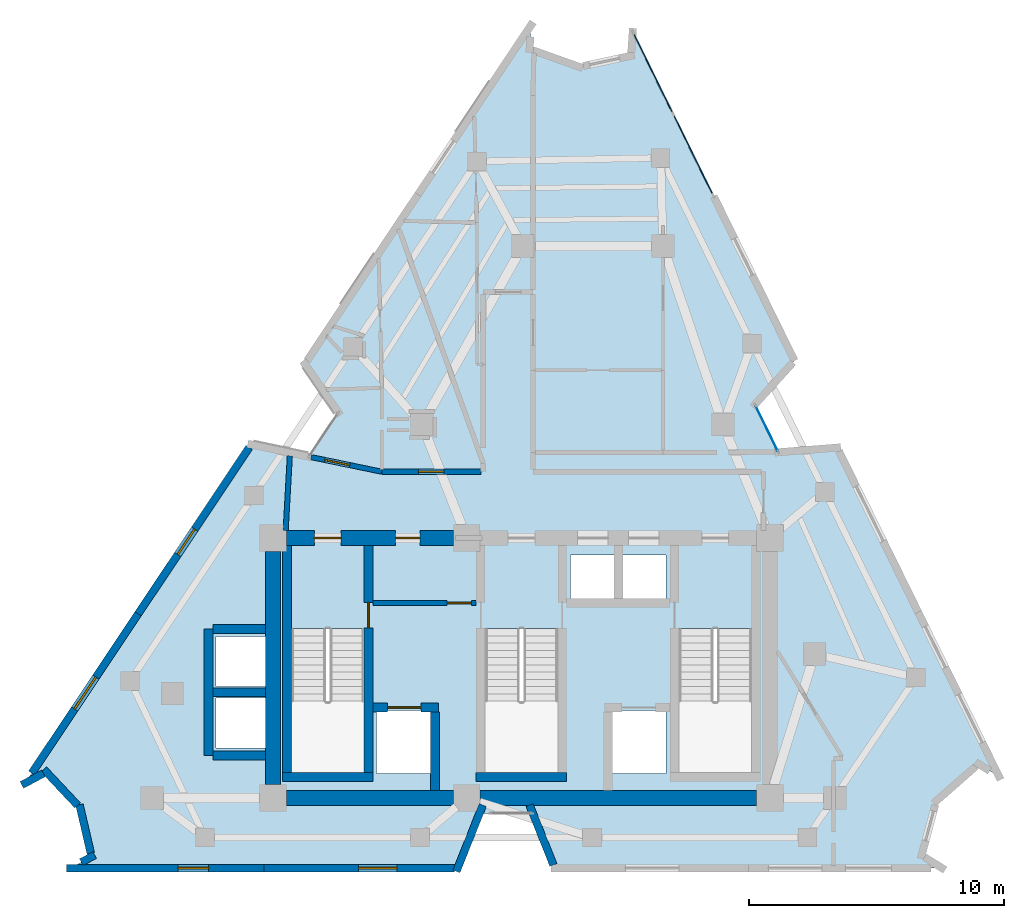
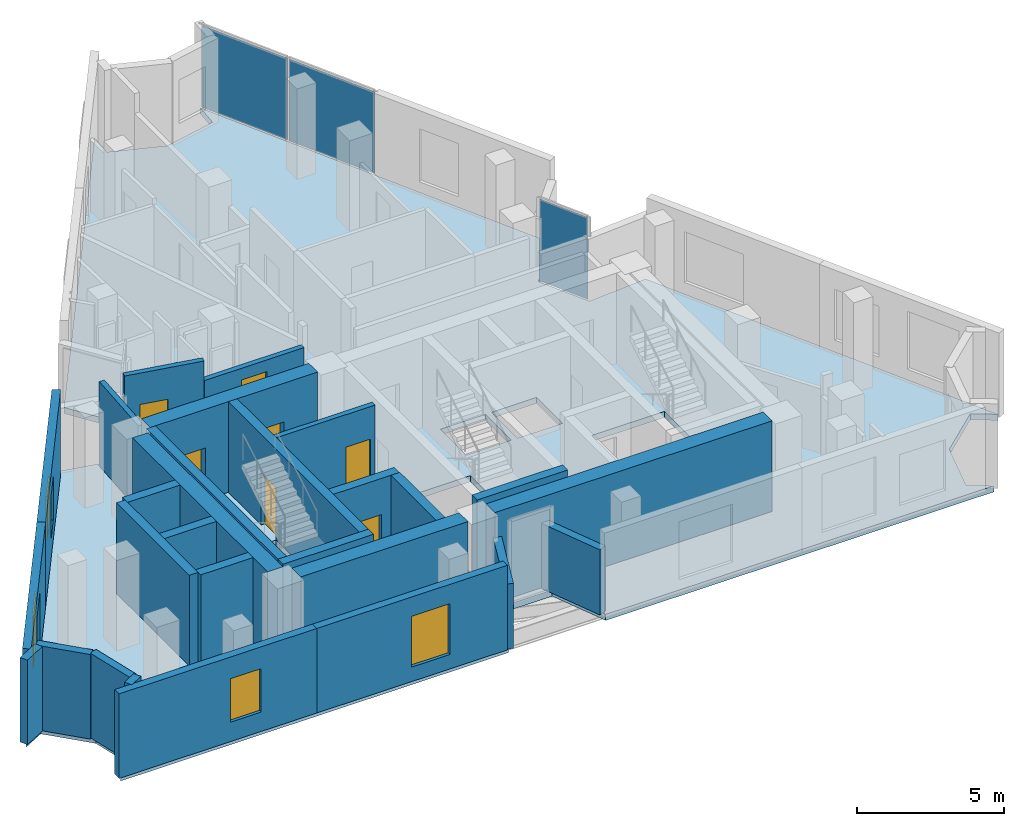
# One storey, part 5 of 10: 28 walls, 7 doors, 4 windows, 3 plates, 1 slab, 11 openings, 2 elements without a shape of their own.
"""IFC4 building model written with IfcOpenShell, lengths in metres."""

from ifc_helpers import new_model, si_unit, direction, frame, frame_2d, origin, origin_2d, place, context, subcontext, project, spatial, polyline, rectangle, outline, extrude, material, layer, layer_set, type_object, element, fill, aggregate, save


model = new_model("IFC4")

# Units and contexts
model_context = context("Model", 3, precision=1e-05, world=origin(), true_north=direction((0.0, 1.0)))
body_context = subcontext(model_context, "Body", "Model", "MODEL_VIEW")
ifc_project = project(units=[si_unit("LENGTHUNIT", "METRE"), si_unit("AREAUNIT", "SQUARE_METRE"), si_unit("VOLUMEUNIT", "CUBIC_METRE"), si_unit("PLANEANGLEUNIT", "RADIAN"), si_unit("MASSUNIT", "GRAM", prefix="KILO")], contexts=[model_context])

# Site, building, storey
site_placement = place(None, origin())
site = spatial("IfcSite", under=ifc_project, at=site_placement, CompositionType="ELEMENT")
building_placement = place(site_placement, origin())
building = spatial("IfcBuilding", under=site, at=building_placement, Name="Almagre Mirador Tower", CompositionType="ELEMENT")
storey_placement = place(building_placement, frame((0.0, 0.0, 278.25)))
storey = spatial("IfcBuildingStorey", under=building, at=storey_placement, Name="L72", CompositionType="ELEMENT", Elevation=278.25)

# Curtain wall, plate
ifc_material_1 = material(Name="Black anodized aluminium", Category="aluminium")
ifc_layer_1 = layer(ifc_material_1, 0.169921875)
ifc_layer_set_1 = layer_set([ifc_layer_1], Name="Black anodized aluminium")
curtain_wall_type_1 = type_object("IfcCurtainWallType", Name="CW-CRS-SYS", PredefinedType="NOTDEFINED", material=ifc_layer_set_1)
curtain_wall_1_placement = place(storey_placement, origin())
curtain_wall_1 = element("IfcCurtainWall", 1, at=curtain_wall_1_placement, inside=storey, type_object=curtain_wall_type_1, Name="L72 vertical crease curtain wall 03", PredefinedType="NOTDEFINED")
ifc_material_2 = material(Name="Dark solar-control laminated hurricane glass", Category="glass")
ifc_layer_2 = layer(ifc_material_2, 0.028076171875)
ifc_layer_set_2 = layer_set([ifc_layer_2], Name="Dark solar-control laminated hurricane glass")
plate_type_1 = type_object("IfcPlateType", Name="PLT-GLZ-28", PredefinedType="CURTAIN_PANEL", material=ifc_layer_set_2)
plate_1_placement = place(storey_placement, frame((46.9208984375, 19.051025390625, 0.06005859375), z_axis=(0.0, 0.0, 1.0), x_axis=(0.441079666023, -0.897467953869, 0.0)))
plate_1 = element("IfcPlate", 2, at=plate_1_placement, type_object=plate_type_1, Name="CW-4 panel 1.1", PredefinedType="CURTAIN_PANEL", context=body_context, shape_type="SweptSolid", body=[
    extrude(rectangle(XDim=1.97021484375, YDim=0.028076171875, at=origin_2d()), origin(), (0.0, 0.0, 1.0), 3.3798828125),
])
aggregate(curtain_wall_1, [plate_1])

# Curtain wall, plates
ifc_material_3 = material(Name="Black anodized aluminium", Category="aluminium")
ifc_layer_3 = layer(ifc_material_3, 0.199951171875)
ifc_layer_set_3 = layer_set([ifc_layer_3], Name="Black anodized aluminium")
curtain_wall_type_2 = type_object("IfcCurtainWallType", Name="CW-RES-H-SYS", PredefinedType="NOTDEFINED", material=ifc_layer_set_3)
curtain_wall_2_placement = place(storey_placement, origin())
curtain_wall_2 = element("IfcCurtainWall", 3, at=curtain_wall_2_placement, inside=storey, type_object=curtain_wall_type_2, Name="L72 curtain wall run 02", PredefinedType="NOTDEFINED")
ifc_material_4 = material(Name="Dark solar-control laminated hurricane glass", Category="glass")
ifc_layer_4 = layer(ifc_material_4, 0.035888671875)
ifc_layer_set_4 = layer_set([ifc_layer_4], Name="Dark solar-control laminated hurricane glass")
plate_type_2 = type_object("IfcPlateType", Name="PLT-GLZ-36", PredefinedType="CURTAIN_PANEL", material=ifc_layer_set_4)
plate_2_placement = place(storey_placement, frame((42.465576171875, 32.983154296875, 0.06494140625), z_axis=(0.0, 0.0, 1.0), x_axis=(0.441307723516, -0.897355834196, 0.0)))
plate_2 = element("IfcPlate", 4, at=plate_2_placement, type_object=plate_type_2, Name="CW-3 panel 1.1", PredefinedType="CURTAIN_PANEL", context=body_context, shape_type="SweptSolid", body=[
    extrude(rectangle(XDim=3.498046875, YDim=0.035888671875, at=origin_2d()), origin(), (0.0, 0.0, 1.0), 3.3701171875),
])
plate_3_placement = place(storey_placement, frame((44.037841796875, 29.785888671875, 0.06494140625), z_axis=(0.0, 0.0, 1.0), x_axis=(0.441307723516, -0.897355834196, 0.0)))
plate_3 = element("IfcPlate", 5, at=plate_3_placement, type_object=plate_type_2, Name="CW-3 panel 2.1", PredefinedType="CURTAIN_PANEL", context=body_context, shape_type="SweptSolid", body=[
    extrude(rectangle(XDim=3.498046875, YDim=0.035888671875, at=origin_2d()), origin(), (0.0, 0.0, 1.0), 3.3701171875),
])
aggregate(curtain_wall_2, [plate_2, plate_3])

# Slab
ifc_material_5 = material(Name="Concrete C45/55", Category="concrete")
ifc_layer_5 = layer(ifc_material_5, 0.25)
ifc_layer_set_5 = layer_set([ifc_layer_5], Name="Concrete C45/55")
slab_type = type_object("IfcSlabType", Name="SLB-FLR-250", PredefinedType="FLOOR", material=ifc_layer_set_5)
slab_placement = place(storey_placement, frame((0.0, 0.0, -0.25)))
element("IfcSlab", 6, at=slab_placement, inside=storey, type_object=slab_type, Name="L72 structural floor slab", PredefinedType="FLOOR", context=body_context, shape_type="SweptSolid", body=[
    extrude(outline(polyline([(17.821044921875, 5.126953125), (18.654052734375, 5.572021484375), (19.990966796875, 4.14794921875), (20.43310546875, 2.24609375), (19.60009765625, 1.800048828125), (34.800048828125, 1.800048828125), (35.655029296875, 3.949951171875), (37.7451171875, 3.949951171875), (38.60009765625, 1.800048828125), (53.800048828125, 1.800048828125), (52.998046875, 2.299072265625), (53.572021484375, 4.431884765625), (55.23291015625, 5.888916015625), (56.034912109375, 5.388916015625), (49.68798828125, 18.294921875), (47.382080078125, 18.113037109375), (46.4599609375, 19.989013671875), (48.011962890625, 21.705078125), (41.6650390625, 34.611083984375), (41.60302734375, 33.66796875), (39.572998046875, 33.23095703125), (37.616943359375, 33.929931640625), (37.678955078125, 34.873046875), (28.804931640625, 21.580078125), (30.117919921875, 19.675048828125), (28.9580078125, 17.93701171875), (26.695068359375, 18.419921875), (17.821044921875, 5.126953125)]), holes=[polyline([(43.47509765625, 5.550048828125), (43.47509765625, 11.196044921875), (46.324951171875, 11.196044921875), (46.324951171875, 5.550048828125), (43.47509765625, 5.550048828125)]), polyline([(41.219970703125, 12.320068359375), (41.219970703125, 14.080078125), (42.97998046875, 14.080078125), (42.97998046875, 12.320068359375), (41.219970703125, 12.320068359375)]), polyline([(42.97998046875, 5.52001953125), (40.820068359375, 5.52001953125), (40.820068359375, 7.97998046875), (42.97998046875, 7.97998046875), (42.97998046875, 5.52001953125)]), polyline([(39.219970703125, 12.320068359375), (39.219970703125, 14.080078125), (40.97998046875, 14.080078125), (40.97998046875, 12.320068359375), (39.219970703125, 12.320068359375)]), polyline([(35.875, 5.550048828125), (35.875, 11.196044921875), (38.72509765625, 11.196044921875), (38.72509765625, 5.550048828125), (35.875, 5.550048828125)]), polyline([(33.780029296875, 5.52001953125), (31.6201171875, 5.52001953125), (31.6201171875, 7.97998046875), (33.780029296875, 7.97998046875), (33.780029296875, 5.52001953125)]), polyline([(28.27490234375, 5.550048828125), (28.27490234375, 11.196044921875), (31.125, 11.196044921875), (31.125, 5.550048828125), (28.27490234375, 5.550048828125)]), polyline([(27.3798828125, 6.52001953125), (25.320068359375, 6.52001953125), (25.320068359375, 8.47998046875), (27.3798828125, 8.47998046875), (27.3798828125, 6.52001953125)]), polyline([(27.3798828125, 8.919921875), (25.320068359375, 8.919921875), (25.320068359375, 10.8798828125), (27.3798828125, 10.8798828125), (27.3798828125, 8.919921875)])]), origin(), (0.0, 0.0, 1.0), 0.25),
])

# Walls
ifc_material_6 = material(Name="Precast concrete C50/60", Category="concrete")
ifc_layer_6 = layer(ifc_material_6, 0.300048828125)
ifc_layer_set_6 = layer_set([ifc_layer_6], Name="Precast concrete C50/60")
wall_type_1 = type_object("IfcWallType", Name="WAL-EXT-300", PredefinedType="SOLIDWALL", material=ifc_layer_set_6)
wall_1_placement = place(storey_placement, frame((38.550048828125, 1.92529296875, 0.0), z_axis=(0.0, 0.0, 1.0), x_axis=(-0.369457562636, 0.929247603931, 0.0)))
element("IfcWall", 7, at=wall_1_placement, inside=storey, type_object=wall_type_1, Name="L72 expressed almagre precast frame wall 20", PredefinedType="SOLIDWALL", context=body_context, shape_type="SweptSolid", body=[
    extrude(rectangle(XDim=2.52685546875, YDim=0.300048828125, at=frame_2d((1.263427734375, 0.0))), origin(), (0.0, 0.0, 1.0), 2.696044921875),
])
wall_2_placement = place(storey_placement, frame((35.78369140625, 4.2734375, 0.0), z_axis=(0.0, 0.0, 1.0), x_axis=(-0.369542065233, -0.929214002275, 0.0)))
element("IfcWall", 8, at=wall_2_placement, inside=storey, type_object=wall_type_1, Name="L72 expressed almagre precast frame wall 21", PredefinedType="SOLIDWALL", context=body_context, shape_type="SweptSolid", body=[
    extrude(rectangle(XDim=2.8017578125, YDim=0.300048828125, at=frame_2d((1.40087890625, 0.0))), origin(), (0.0, 0.0, 1.0), 2.696044921875),
])

# Wall, opening, window
wall_3_placement = place(storey_placement, frame((34.6650390625, 1.800048828125, 0.0), z_axis=(0.0, 0.0, 1.0), x_axis=(-1.0, 0.0, 0.0)))
wall_3 = element("IfcWall", 9, at=wall_3_placement, inside=storey, type_object=wall_type_1, Name="L72 expressed almagre precast frame wall 22", PredefinedType="SOLIDWALL", context=body_context, shape_type="SweptSolid", body=[
    extrude(rectangle(XDim=7.465087890625, YDim=0.300048828125, at=frame_2d((3.732421875, 0.0))), origin(), (0.0, 0.0, 1.0), 3.5),
])
opening_1_placement = place(wall_3_placement, frame((2.25, 0.0, 0.60009765625)))
opening_1 = element("IfcOpeningElement", 10, at=opening_1_placement, cuts=wall_3, Name="Opening WN-03", PredefinedType="OPENING", context=body_context, shape_type="SweptSolid", body=[
    extrude(rectangle(XDim=1.5, YDim=2.10009765625, at=frame_2d((0.75, 1.050048828125))), frame((0.0, 0.159902, 0.0), z_axis=(0.0, -1.0, 0.0), x_axis=(1.0, 0.0, 0.0)), (0.0, 0.0, 1.0), 0.320049),
])
ifc_material_7 = material(Name="Dark solar-control laminated hurricane glass", Category="glass")
window_type_1 = type_object("IfcWindowType", Name="WIN-1500X2100", PartitioningType="DOUBLE_PANEL_VERTICAL", PredefinedType="WINDOW", material=ifc_material_7)
window_1_placement = place(opening_1_placement, origin())
window_1 = element("IfcWindow", 11, at=window_1_placement, inside=storey, type_object=window_type_1, Name="L72 recessed hurricane window L72-UA-MB", OverallHeight=2.10009765625, OverallWidth=1.5, PartitioningType="SINGLE_PANEL", PredefinedType="WINDOW", context=body_context, shape_type="SweptSolid", body=[
    extrude(rectangle(XDim=1.5, YDim=2.10009765625, at=frame_2d((0.75, 1.050048828125))), frame((0.0, 0.030029296875, 0.0), z_axis=(0.0, -1.0, 0.0), x_axis=(1.0, 0.0, 0.0)), (0.0, 0.0, 1.0), 0.06005859375),
])
fill(opening_1, window_1)

wall_4_placement = place(storey_placement, frame((27.199951171875, 1.800048828125, 0.0), z_axis=(0.0, 0.0, 1.0), x_axis=(-1.0, 0.0, 0.0)))
wall_4 = element("IfcWall", 12, at=wall_4_placement, inside=storey, type_object=wall_type_1, Name="L72 expressed almagre precast frame wall 23", PredefinedType="SOLIDWALL", context=body_context, shape_type="SweptSolid", body=[
    extrude(rectangle(XDim=7.739990234375, YDim=0.300048828125, at=frame_2d((3.8701171875, 0.0))), origin(), (0.0, 0.0, 1.0), 3.5),
])
opening_2_placement = place(wall_4_placement, frame((2.175048828125, 0.0, 0.800048828125)))
opening_2 = element("IfcOpeningElement", 13, at=opening_2_placement, cuts=wall_4, Name="Opening WN-04", PredefinedType="OPENING", context=body_context, shape_type="SweptSolid", body=[
    extrude(rectangle(XDim=1.199951171875, YDim=1.800048828125, at=frame_2d((0.60009765625, 0.89990234375))), frame((0.0, 0.159902, 0.0), z_axis=(0.0, -1.0, 0.0), x_axis=(1.0, 0.0, 0.0)), (0.0, 0.0, 1.0), 0.320049),
])
ifc_material_8 = material(Name="Dark solar-control laminated hurricane glass", Category="glass")
window_type_2 = type_object("IfcWindowType", Name="WIN-1200X1800", PartitioningType="SINGLE_PANEL", PredefinedType="WINDOW", material=ifc_material_8)
window_2_placement = place(opening_2_placement, origin())
window_2 = element("IfcWindow", 14, at=window_2_placement, inside=storey, type_object=window_type_2, Name="L72 recessed hurricane window L72-UA-LV", OverallHeight=1.800048828125, OverallWidth=1.199951171875, PartitioningType="SINGLE_PANEL", PredefinedType="WINDOW", context=body_context, shape_type="SweptSolid", body=[
    extrude(rectangle(XDim=1.199951171875, YDim=1.800048828125, at=frame_2d((0.60009765625, 0.89990234375))), frame((0.0, 0.030029296875, 0.0), z_axis=(0.0, -1.0, 0.0), x_axis=(1.0, 0.0, 0.0)), (0.0, 0.0, 1.0), 0.06005859375),
])
fill(opening_2, window_2)

# Walls
wall_5_placement = place(storey_placement, frame((20.031982421875, 2.03125, 0.0), z_axis=(0.0, 0.0, 1.0), x_axis=(0.881601971089, 0.471993606495, 0.0)))
element("IfcWall", 15, at=wall_5_placement, inside=storey, type_object=wall_type_1, Name="L72 expressed almagre precast frame wall 24", PredefinedType="SOLIDWALL", context=body_context, shape_type="SweptSolid", body=[
    extrude(rectangle(XDim=0.5947265625, YDim=0.300048828125, at=frame_2d((0.29736328125, 0.0))), origin(), (0.0, 0.0, 1.0), 3.5),
])
wall_6_placement = place(storey_placement, frame((20.403564453125, 2.37255859375, 0.0), z_axis=(0.0, 0.0, 1.0), x_axis=(-0.226376282289, 0.974039926706, 0.0)))
element("IfcWall", 16, at=wall_6_placement, inside=storey, type_object=wall_type_1, Name="L72 expressed almagre precast frame wall 25", PredefinedType="SOLIDWALL", context=body_context, shape_type="SweptSolid", body=[
    extrude(rectangle(XDim=1.962890625, YDim=0.300048828125, at=frame_2d((0.9814453125, 0.0))), origin(), (0.0, 0.0, 1.0), 3.5),
])
wall_7_placement = place(storey_placement, frame((19.88818359375, 4.25732421875, 0.0), z_axis=(0.0, 0.0, 1.0), x_axis=(-0.684454988333, 0.72905512065, 0.0)))
element("IfcWall", 17, at=wall_7_placement, inside=storey, type_object=wall_type_1, Name="L72 expressed almagre precast frame wall 26", PredefinedType="SOLIDWALL", context=body_context, shape_type="SweptSolid", body=[
    extrude(rectangle(XDim=1.943359375, YDim=0.300048828125, at=frame_2d((0.9716796875, 0.0))), origin(), (0.0, 0.0, 1.0), 3.5),
])
wall_8_placement = place(storey_placement, frame((18.543701171875, 5.51318359375, 0.0), z_axis=(0.0, 0.0, 1.0), x_axis=(-0.881986380724, -0.471274892412, 0.0)))
element("IfcWall", 18, at=wall_8_placement, inside=storey, type_object=wall_type_1, Name="L72 expressed almagre precast frame wall 27", PredefinedType="SOLIDWALL", context=body_context, shape_type="SweptSolid", body=[
    extrude(rectangle(XDim=0.95947265625, YDim=0.300048828125, at=frame_2d((0.479736328125, 0.0))), origin(), (0.0, 0.0, 1.0), 3.5),
])

# Wall, opening, window
wall_9_placement = place(storey_placement, frame((18.08740234375, 5.5263671875, 0.0), z_axis=(0.0, 0.0, 1.0), x_axis=(0.555247625547, 0.83168508122, 0.0)))
wall_9 = element("IfcWall", 19, at=wall_9_placement, inside=storey, type_object=wall_type_1, Name="L72 expressed almagre precast frame wall 28", PredefinedType="SOLIDWALL", context=body_context, shape_type="SweptSolid", body=[
    extrude(rectangle(XDim=7.51123046875, YDim=0.300048828125, at=frame_2d((3.755615234375, 0.0))), origin(), (0.0, 0.0, 1.0), 3.5),
])
opening_3_placement = place(wall_9_placement, frame((3.030029296875, 0.0, 0.60009765625)))
opening_3 = element("IfcOpeningElement", 20, at=opening_3_placement, cuts=wall_9, Name="Opening WN-03", PredefinedType="OPENING", context=body_context, shape_type="SweptSolid", body=[
    extrude(rectangle(XDim=1.5, YDim=2.10009765625, at=frame_2d((0.75, 1.050048828125))), frame((0.0, 0.159902, 0.0), z_axis=(0.0, -1.0, 0.0), x_axis=(1.0, 0.0, 0.0)), (0.0, 0.0, 1.0), 0.320049),
])
window_3_placement = place(opening_3_placement, origin())
window_3 = element("IfcWindow", 21, at=window_3_placement, inside=storey, type_object=window_type_1, Name="L72 recessed hurricane window L72-RST-D", OverallHeight=2.10009765625, OverallWidth=1.5, PartitioningType="SINGLE_PANEL", PredefinedType="WINDOW", context=body_context, shape_type="SweptSolid", body=[
    extrude(rectangle(XDim=1.5, YDim=2.10009765625, at=frame_2d((0.75, 1.050048828125))), frame((0.0, 0.030029296875, 0.0), z_axis=(0.0, -1.0, 0.0), x_axis=(1.0, 0.0, 0.0)), (0.0, 0.0, 1.0), 0.06005859375),
])
fill(opening_3, window_3)

wall_10_placement = place(storey_placement, frame((22.258056640625, 11.7734375, 0.0), z_axis=(0.0, 0.0, 1.0), x_axis=(0.555209579516, 0.831710480163, 0.0)))
wall_10 = element("IfcWall", 22, at=wall_10_placement, inside=storey, type_object=wall_type_1, Name="L72 expressed almagre precast frame wall 29", PredefinedType="SOLIDWALL", context=body_context, shape_type="SweptSolid", body=[
    extrude(rectangle(XDim=7.851318359375, YDim=0.300048828125, at=frame_2d((3.92578125, 0.0))), origin(), (0.0, 0.0, 1.0), 3.5),
])
opening_4_placement = place(wall_10_placement, frame((2.800048828125, 0.0, 0.800048828125)))
opening_4 = element("IfcOpeningElement", 23, at=opening_4_placement, cuts=wall_10, Name="Opening WN-04", PredefinedType="OPENING", context=body_context, shape_type="SweptSolid", body=[
    extrude(rectangle(XDim=1.199951171875, YDim=1.800048828125, at=frame_2d((0.60009765625, 0.89990234375))), frame((0.0, 0.159902, 0.0), z_axis=(0.0, -1.0, 0.0), x_axis=(1.0, 0.0, 0.0)), (0.0, 0.0, 1.0), 0.320049),
])
window_4_placement = place(opening_4_placement, origin())
window_4 = element("IfcWindow", 24, at=window_4_placement, inside=storey, type_object=window_type_2, Name="L72 recessed hurricane window L72-RST-D", OverallHeight=1.800048828125, OverallWidth=1.199951171875, PartitioningType="SINGLE_PANEL", PredefinedType="WINDOW", context=body_context, shape_type="SweptSolid", body=[
    extrude(rectangle(XDim=1.199951171875, YDim=1.800048828125, at=frame_2d((0.60009765625, 0.89990234375))), frame((0.0, 0.030029296875, 0.0), z_axis=(0.0, -1.0, 0.0), x_axis=(1.0, 0.0, 0.0)), (0.0, 0.0, 1.0), 0.06005859375),
])
fill(opening_4, window_4)

# Wall, opening, door
ifc_material_9 = material(Name="Gypsum acoustic stud partition", Category="other")
ifc_layer_7 = layer(ifc_material_9, 0.199951171875)
ifc_layer_set_7 = layer_set([ifc_layer_7], Name="Gypsum acoustic stud partition")
wall_type_2 = type_object("IfcWallType", Name="WAL-PRT-200-EI60", PredefinedType="PARTITIONING", material=ifc_layer_set_7)
wall_11_placement = place(storey_placement, frame((31.47998046875, 12.199951171875, 0.0), z_axis=(0.0, 0.0, 1.0), x_axis=(1.0, 0.0, 0.0)))
wall_11 = element("IfcWall", 25, at=wall_11_placement, inside=storey, type_object=wall_type_2, Name="L72 FFL-1 north enclosure wall", PredefinedType="PARTITIONING", context=body_context, shape_type="SweptSolid", body=[
    extrude(rectangle(XDim=4.0400390625, YDim=0.199951171875, at=frame_2d((2.02001953125, 0.0))), origin(), (0.0, 0.0, 1.0), 3.5),
])
opening_5_placement = place(wall_11_placement, frame((2.905029296875, 0.0, 0.0)))
opening_5 = element("IfcOpeningElement", 26, at=opening_5_placement, cuts=wall_11, Name="Opening ID-02", PredefinedType="OPENING", context=body_context, shape_type="SweptSolid", body=[
    extrude(rectangle(XDim=0.949951171875, YDim=2.14990234375, at=frame_2d((0.47509765625, 1.074951171875))), frame((0.0, 0.110098, 0.0), z_axis=(0.0, -1.0, 0.0), x_axis=(1.0, 0.0, 0.0)), (0.0, 0.0, 1.0), 0.219951),
])
ifc_material_10 = material(Name="Fire-rated walnut timber", Category="wood")
door_type_1 = type_object("IfcDoorType", Name="DOR-FD60-950X2150", OperationType="NOTDEFINED", PredefinedType="DOOR", material=ifc_material_10)
door_1_placement = place(opening_5_placement, origin())
door_1 = element("IfcDoor", 27, at=door_1_placement, inside=storey, type_object=door_type_1, Name="DR-2166 L72 FFL-1 north smoke door", OperationType="SINGLE_SWING_RIGHT", OverallHeight=2.14990234375, OverallWidth=0.949951171875, PredefinedType="DOOR", context=body_context, shape_type="SweptSolid", body=[
    extrude(rectangle(XDim=0.949951171875, YDim=2.14990234375, at=frame_2d((0.47509765625, 1.074951171875))), frame((0.0, 0.02490234375, 0.0), z_axis=(0.0, -1.0, 0.0), x_axis=(1.0, 0.0, 0.0)), (0.0, 0.0, 1.0), 0.050048828125),
])
fill(opening_5, door_1)

wall_12_placement = place(storey_placement, frame((35.715087890625, 17.35009765625, 0.0), z_axis=(0.0, 0.0, 1.0), x_axis=(-1.0, 0.0, 0.0)))
wall_12 = element("IfcWall", 28, at=wall_12_placement, inside=storey, type_object=wall_type_2, Name="L72 interior partition 006", PredefinedType="PARTITIONING", context=body_context, shape_type="SweptSolid", body=[
    extrude(rectangle(XDim=3.89501953125, YDim=0.199951171875, at=frame_2d((1.947509765625, 0.0))), origin(), (0.0, 0.0, 1.0), 2.68505859375),
])
opening_6_placement = place(wall_12_placement, frame((1.463623046875, 0.0, 0.0)))
opening_6 = element("IfcOpeningElement", 29, at=opening_6_placement, cuts=wall_12, Name="Opening ID-01", PredefinedType="OPENING", context=body_context, shape_type="SweptSolid", body=[
    extrude(rectangle(XDim=1.0, YDim=2.199951171875, at=frame_2d((0.5, 1.10009765625))), frame((0.0, 0.110098, 0.0), z_axis=(0.0, -1.0, 0.0), x_axis=(1.0, 0.0, 0.0)), (0.0, 0.0, 1.0), 0.219951),
])
ifc_material_11 = material(Name="Fire-rated walnut timber", Category="wood")
door_type_2 = type_object("IfcDoorType", Name="DOR-FD60-1000X2200", OperationType="NOTDEFINED", PredefinedType="DOOR", material=ifc_material_11)
door_2_placement = place(opening_6_placement, origin())
door_2 = element("IfcDoor", 30, at=door_2_placement, inside=storey, type_object=door_type_2, Name="DR-2172 L72 interior door L72-RCOR to L72-UF-ST", OperationType="SINGLE_SWING_LEFT", OverallHeight=2.199951171875, OverallWidth=1.0, PredefinedType="DOOR", context=body_context, shape_type="SweptSolid", body=[
    extrude(rectangle(XDim=1.0, YDim=2.199951171875, at=frame_2d((0.5, 1.10009765625))), frame((0.0, 0.02490234375, 0.0), z_axis=(0.0, -1.0, 0.0), x_axis=(1.0, 0.0, 0.0)), (0.0, 0.0, 1.0), 0.050048828125),
])
fill(opening_6, door_2)

wall_13_placement = place(storey_placement, frame((31.820068359375, 17.35009765625, 0.0), z_axis=(0.0, 0.0, 1.0), x_axis=(-0.979272191328, 0.202548698567, 0.0)))
wall_13 = element("IfcWall", 31, at=wall_13_placement, inside=storey, type_object=wall_type_2, Name="L72 interior partition 007", PredefinedType="PARTITIONING", context=body_context, shape_type="SweptSolid", body=[
    extrude(rectangle(XDim=2.83740234375, YDim=0.199951171875, at=frame_2d((1.418701171875, 0.0))), origin(), (0.0, 0.0, 1.0), 3.5),
])
opening_7_placement = place(wall_13_placement, frame((1.286376953125, 0.0, 0.0)))
opening_7 = element("IfcOpeningElement", 32, at=opening_7_placement, cuts=wall_13, Name="Opening ID-01", PredefinedType="OPENING", context=body_context, shape_type="SweptSolid", body=[
    extrude(rectangle(XDim=1.0, YDim=2.199951171875, at=frame_2d((0.5, 1.10009765625))), frame((0.0, 0.110098, 0.0), z_axis=(0.0, -1.0, 0.0), x_axis=(1.0, 0.0, 0.0)), (0.0, 0.0, 1.0), 0.219951),
])
door_3_placement = place(opening_7_placement, origin())
door_3 = element("IfcDoor", 33, at=door_3_placement, inside=storey, type_object=door_type_2, Name="DR-2181 L72 interior door L72-RCOR to L72-UF-KT", OperationType="SINGLE_SWING_LEFT", OverallHeight=2.199951171875, OverallWidth=1.0, PredefinedType="DOOR", context=body_context, shape_type="SweptSolid", body=[
    extrude(rectangle(XDim=1.0, YDim=2.199951171875, at=frame_2d((0.5, 1.10009765625))), frame((0.0, 0.02490234375, 0.0), z_axis=(0.0, -1.0, 0.0), x_axis=(1.0, 0.0, 0.0)), (0.0, 0.0, 1.0), 0.050048828125),
])
fill(opening_7, door_3)

# Walls
wall_14_placement = place(storey_placement, frame((28.2119140625, 17.97607421875, 0.0), z_axis=(0.0, 0.0, 1.0), x_axis=(-0.055234698656, -0.998473398777, 0.0)))
element("IfcWall", 34, at=wall_14_placement, inside=storey, type_object=wall_type_2, Name="L72 interior partition 055", PredefinedType="PARTITIONING", context=body_context, shape_type="SweptSolid", body=[
    extrude(rectangle(XDim=2.930419921875, YDim=0.199951171875, at=frame_2d((1.46533203125, 0.0))), origin(), (0.0, 0.0, 1.0), 3.5),
])
ifc_material_12 = material(Name="Concrete C60/75", Category="concrete")
ifc_layer_8 = layer(ifc_material_12, 0.35009765625)
ifc_layer_set_8 = layer_set([ifc_layer_8], Name="Concrete C60/75")
wall_type_3 = type_object("IfcWallType", Name="WAL-SHF-350", PredefinedType="SOLIDWALL", material=ifc_layer_set_8)
wall_15_placement = place(storey_placement, frame((28.10009765625, 5.199951171875, 0.0), z_axis=(0.0, 0.0, 1.0), x_axis=(0.0, 1.0, 0.0)))
element("IfcWall", 35, at=wall_15_placement, inside=storey, type_object=wall_type_3, Name="L72 shaft wall ST1-W", PredefinedType="SOLIDWALL", context=body_context, shape_type="SweptSolid", body=[
    extrude(rectangle(XDim=9.25, YDim=0.35009765625, at=frame_2d((4.625, 0.0))), origin(), (0.0, 0.0, 1.0), 3.75),
])

# Wall, opening, door
wall_16_placement = place(storey_placement, frame((31.300048828125, 5.199951171875, 0.0), z_axis=(0.0, 0.0, 1.0), x_axis=(0.0, 1.0, 0.0)))
wall_16 = element("IfcWall", 36, at=wall_16_placement, inside=storey, type_object=wall_type_3, Name="L72 shaft wall ST1-E", PredefinedType="SOLIDWALL", context=body_context, shape_type="SweptSolid", body=[
    extrude(rectangle(XDim=9.25, YDim=0.35009765625, at=frame_2d((4.625, 0.0))), origin(), (0.0, 0.0, 1.0), 3.75),
])
opening_8_placement = place(wall_16_placement, frame((6.02001953125, 0.0, 0.0)))
opening_8 = element("IfcOpeningElement", 37, at=opening_8_placement, cuts=wall_16, Name="Opening FD-01", PredefinedType="OPENING", context=body_context, shape_type="SweptSolid", body=[
    extrude(rectangle(XDim=1.0, YDim=2.14990234375, at=frame_2d((0.5, 1.074951171875))), frame((0.0, 0.185049, 0.0), z_axis=(0.0, -1.0, 0.0), x_axis=(1.0, 0.0, 0.0)), (0.0, 0.0, 1.0), 0.370098),
])
ifc_material_13 = material(Name="Fire-rated hollow steel", Category="steel")
door_type_3 = type_object("IfcDoorType", Name="DOR-FFL-1000X2150", OperationType="NOTDEFINED", PredefinedType="DOOR", material=ifc_material_13)
door_4_placement = place(opening_8_placement, origin())
door_4 = element("IfcDoor", 38, at=door_4_placement, inside=storey, type_object=door_type_3, Name="DR-2167 L72 FFL1-ST1 smokeproof door", OperationType="SINGLE_SWING_RIGHT", OverallHeight=2.14990234375, OverallWidth=1.0, PredefinedType="DOOR", context=body_context, shape_type="SweptSolid", body=[
    extrude(rectangle(XDim=1.0, YDim=2.14990234375, at=frame_2d((0.5, 1.074951171875))), frame((0.0, 0.02490234375, 0.0), z_axis=(0.0, -1.0, 0.0), x_axis=(1.0, 0.0, 0.0)), (0.0, 0.0, 1.0), 0.050048828125),
])
fill(opening_8, door_4)

# Walls
for number, where, z_axis, x_axis, name in (
    (39, (27.925048828125, 5.375, 0.0), (0.0, 0.0, 1.0), (1.0, 0.0, 0.0), "L72 shaft wall ST1-S"),
    (40, (35.52490234375, 5.375, 0.0), (0.0, 0.0, 1.0), (1.0, 0.0, 0.0), "L72 shaft wall ST2-S"),
):
    element("IfcWall", number, at=place(storey_placement, frame(where, z_axis=z_axis, x_axis=x_axis)), inside=storey, type_object=wall_type_3, Name=name, PredefinedType="SOLIDWALL", context=body_context, shape_type="SweptSolid", body=[
        extrude(rectangle(XDim=3.550048828125, YDim=0.35009765625, at=frame_2d((1.77490234375, 0.0))), origin(), (0.0, 0.0, 1.0), 3.75),
    ])

# Wall, opening, door
wall_17_placement = place(storey_placement, frame((31.47509765625, 8.10009765625, 0.0), z_axis=(0.0, 0.0, 1.0), x_axis=(1.0, 0.0, 0.0)))
wall_17 = element("IfcWall", 41, at=wall_17_placement, inside=storey, type_object=wall_type_3, Name="L72 shaft wall FSAE1-N", PredefinedType="SOLIDWALL", context=body_context, shape_type="SweptSolid", body=[
    extrude(rectangle(XDim=2.574951171875, YDim=0.35009765625, at=frame_2d((1.28759765625, 0.0))), origin(), (0.0, 0.0, 1.0), 3.75),
])
opening_9_placement = place(wall_17_placement, frame((0.574951171875, 0.0, 0.0)))
opening_9 = element("IfcOpeningElement", 42, at=opening_9_placement, cuts=wall_17, Name="Opening LD-03", PredefinedType="OPENING", context=body_context, shape_type="SweptSolid", body=[
    extrude(rectangle(XDim=1.300048828125, YDim=2.25, at=frame_2d((0.64990234375, 1.125))), frame((0.0, 0.185049, 0.0), z_axis=(0.0, -1.0, 0.0), x_axis=(1.0, 0.0, 0.0)), (0.0, 0.0, 1.0), 0.370098),
])
ifc_material_14 = material(Name="Hollow stainless steel", Category="steel")
door_type_4 = type_object("IfcDoorType", Name="DOR-LD-1300X2250", OperationType="DOUBLE_DOOR_SLIDING", PredefinedType="DOOR", material=ifc_material_14)
door_5_placement = place(opening_9_placement, origin())
door_5 = element("IfcDoor", 43, at=door_5_placement, inside=storey, type_object=door_type_4, Name="DR-2182 L72 FSAE-1 lift landing door", OperationType="DOUBLE_DOOR_SLIDING", OverallHeight=2.25, OverallWidth=1.300048828125, PredefinedType="DOOR", context=body_context, shape_type="SweptSolid", body=[
    extrude(rectangle(XDim=1.300048828125, YDim=2.25, at=frame_2d((0.64990234375, 1.125))), frame((0.0, 0.02490234375, 0.0), z_axis=(0.0, -1.0, 0.0), x_axis=(1.0, 0.0, 0.0)), (0.0, 0.0, 1.0), 0.050048828125),
])
fill(opening_9, door_5)

# Walls
wall_18_placement = place(storey_placement, frame((33.89990234375, 4.85009765625, 0.0), z_axis=(0.0, 0.0, 1.0), x_axis=(0.0, 1.0, 0.0)))
element("IfcWall", 44, at=wall_18_placement, inside=storey, type_object=wall_type_3, Name="L72 shaft wall FSAE1-E", PredefinedType="SOLIDWALL", context=body_context, shape_type="SweptSolid", body=[
    extrude(rectangle(XDim=3.074951171875, YDim=0.35009765625, at=frame_2d((1.53759765625, 0.0))), origin(), (0.0, 0.0, 1.0), 3.75),
])
wall_19_placement = place(storey_placement, frame((25.02490234375, 6.22509765625, 0.0), z_axis=(0.0, 0.0, 1.0), x_axis=(0.0, 1.0, 0.0)))
element("IfcWall", 45, at=wall_19_placement, inside=storey, type_object=wall_type_3, Name="L72 shaft wall OL-W", PredefinedType="SOLIDWALL", context=body_context, shape_type="SweptSolid", body=[
    extrude(rectangle(XDim=4.949951171875, YDim=0.35009765625, at=frame_2d((2.47509765625, 0.0))), origin(), (0.0, 0.0, 1.0), 3.75),
])
for number, where, z_axis, x_axis, name in (
    (46, (25.199951171875, 6.22509765625, 0.0), (0.0, 0.0, 1.0), (1.0, 0.0, 0.0), "L72 shaft wall OL-S"),
    (47, (25.199951171875, 8.699951171875, 0.0), (0.0, 0.0, 1.0), (1.0, 0.0, 0.0), "L72 shaft wall OL-M"),
    (48, (25.199951171875, 11.175048828125, 0.0), (0.0, 0.0, 1.0), (1.0, 0.0, 0.0), "L72 shaft wall OL-N"),
):
    element("IfcWall", number, at=place(storey_placement, frame(where, z_axis=z_axis, x_axis=x_axis)), inside=storey, type_object=wall_type_3, Name=name, PredefinedType="SOLIDWALL", context=body_context, shape_type="SweptSolid", body=[
        extrude(rectangle(XDim=2.050048828125, YDim=0.35009765625, at=frame_2d((1.02490234375, 0.0))), origin(), (0.0, 0.0, 1.0), 3.75),
    ])
ifc_material_15 = material(Name="Concrete C60/75", Category="concrete")
ifc_layer_9 = layer(ifc_material_15, 0.60009765625)
ifc_layer_set_9 = layer_set([ifc_layer_9], Name="Concrete C60/75")
wall_type_4 = type_object("IfcWallType", Name="WAL-SHR-600", PredefinedType="SHEAR", material=ifc_layer_set_9)
wall_20_placement = place(storey_placement, frame((28.074951171875, 4.550048828125, 0.0), z_axis=(0.0, 0.0, 1.0), x_axis=(1.0, 0.0, 0.0)))
element("IfcWall", 49, at=wall_20_placement, inside=storey, type_object=wall_type_4, Name="L72 core shear wall S1", PredefinedType="SHEAR", context=body_context, shape_type="SweptSolid", body=[
    extrude(rectangle(XDim=6.550048828125, YDim=0.60009765625, at=frame_2d((3.27490234375, 0.0))), origin(), (0.0, 0.0, 1.0), 3.75),
])
wall_21_placement = place(storey_placement, frame((35.675048828125, 4.550048828125, 0.0), z_axis=(0.0, 0.0, 1.0), x_axis=(1.0, 0.0, 0.0)))
element("IfcWall", 50, at=wall_21_placement, inside=storey, type_object=wall_type_4, Name="L72 core shear wall S2", PredefinedType="SHEAR", context=body_context, shape_type="SweptSolid", body=[
    extrude(rectangle(XDim=10.849853515625, YDim=0.60009765625, at=frame_2d((5.4248046875, 0.0))), origin(), (0.0, 0.0, 1.0), 3.75),
])

# Wall, openings, doors
wall_22_placement = place(storey_placement, frame((28.074951171875, 14.75, 0.0), z_axis=(0.0, 0.0, 1.0), x_axis=(1.0, 0.0, 0.0)))
wall_22 = element("IfcWall", 51, at=wall_22_placement, inside=storey, type_object=wall_type_4, Name="L72 core shear wall N1", PredefinedType="SHEAR", context=body_context, shape_type="SweptSolid", body=[
    extrude(rectangle(XDim=6.550048828125, YDim=0.60009765625, at=frame_2d((3.27490234375, 0.0))), origin(), (0.0, 0.0, 1.0), 3.75),
])
opening_10_placement = place(wall_22_placement, frame((1.10009765625, 0.0, 0.0)))
opening_10 = element("IfcOpeningElement", 52, at=opening_10_placement, cuts=wall_22, Name="Opening SD-01", PredefinedType="OPENING", context=body_context, shape_type="SweptSolid", body=[
    extrude(rectangle(XDim=1.050048828125, YDim=2.14990234375, at=frame_2d((0.52490234375, 1.074951171875))), frame((0.0, 0.310049, 0.0), z_axis=(0.0, -1.0, 0.0), x_axis=(1.0, 0.0, 0.0)), (0.0, 0.0, 1.0), 0.620098),
])
opening_11_placement = place(wall_22_placement, frame((4.2900390625, 0.0, 0.0)))
opening_11 = element("IfcOpeningElement", 53, at=opening_11_placement, cuts=wall_22, Name="Opening FD-02", PredefinedType="OPENING", context=body_context, shape_type="SweptSolid", body=[
    extrude(rectangle(XDim=0.949951171875, YDim=2.14990234375, at=frame_2d((0.47509765625, 1.074951171875))), frame((0.0, 0.310049, 0.0), z_axis=(0.0, -1.0, 0.0), x_axis=(1.0, 0.0, 0.0)), (0.0, 0.0, 1.0), 0.620098),
])
ifc_material_16 = material(Name="Fire-rated hollow steel", Category="steel")
door_type_5 = type_object("IfcDoorType", Name="DOR-FD90-950X2150", OperationType="NOTDEFINED", PredefinedType="DOOR", material=ifc_material_16)
door_6_placement = place(opening_11_placement, origin())
door_6 = element("IfcDoor", 54, at=door_6_placement, inside=storey, type_object=door_type_5, Name="DR-2165 L72 core equipment room north door", OperationType="SINGLE_SWING_LEFT", OverallHeight=2.14990234375, OverallWidth=0.949951171875, PredefinedType="DOOR", context=body_context, shape_type="SweptSolid", body=[
    extrude(rectangle(XDim=0.949951171875, YDim=2.14990234375, at=frame_2d((0.47509765625, 1.074951171875))), frame((0.0, 0.02490234375, 0.0), z_axis=(0.0, -1.0, 0.0), x_axis=(1.0, 0.0, 0.0)), (0.0, 0.0, 1.0), 0.050048828125),
])
fill(opening_11, door_6)
ifc_material_17 = material(Name="Fire-rated hollow steel", Category="steel")
door_type_6 = type_object("IfcDoorType", Name="DOR-ST-1050X2150", OperationType="NOTDEFINED", PredefinedType="DOOR", material=ifc_material_17)
door_7_placement = place(opening_10_placement, origin())
door_7 = element("IfcDoor", 55, at=door_7_placement, inside=storey, type_object=door_type_6, Name="DR-2186 L72 protected exit stair ST-1 door", OperationType="SINGLE_SWING_LEFT", OverallHeight=2.14990234375, OverallWidth=1.050048828125, PredefinedType="DOOR", context=body_context, shape_type="SweptSolid", body=[
    extrude(rectangle(XDim=1.050048828125, YDim=2.14990234375, at=frame_2d((0.52490234375, 1.074951171875))), frame((0.0, 0.02490234375, 0.0), z_axis=(0.0, -1.0, 0.0), x_axis=(1.0, 0.0, 0.0)), (0.0, 0.0, 1.0), 0.050048828125),
])
fill(opening_10, door_7)

# Wall
wall_23_placement = place(storey_placement, frame((27.550048828125, 5.074951171875, 0.0), z_axis=(0.0, 0.0, 1.0), x_axis=(0.0, 1.0, 0.0)))
element("IfcWall", 56, at=wall_23_placement, inside=storey, type_object=wall_type_4, Name="L72 core shear wall W1", PredefinedType="SHEAR", context=body_context, shape_type="SweptSolid", body=[
    extrude(rectangle(XDim=9.150146484375, YDim=0.60009765625, at=frame_2d((4.5751953125, 0.0))), origin(), (0.0, 0.0, 1.0), 3.75),
])

save(model, "model.ifc")
